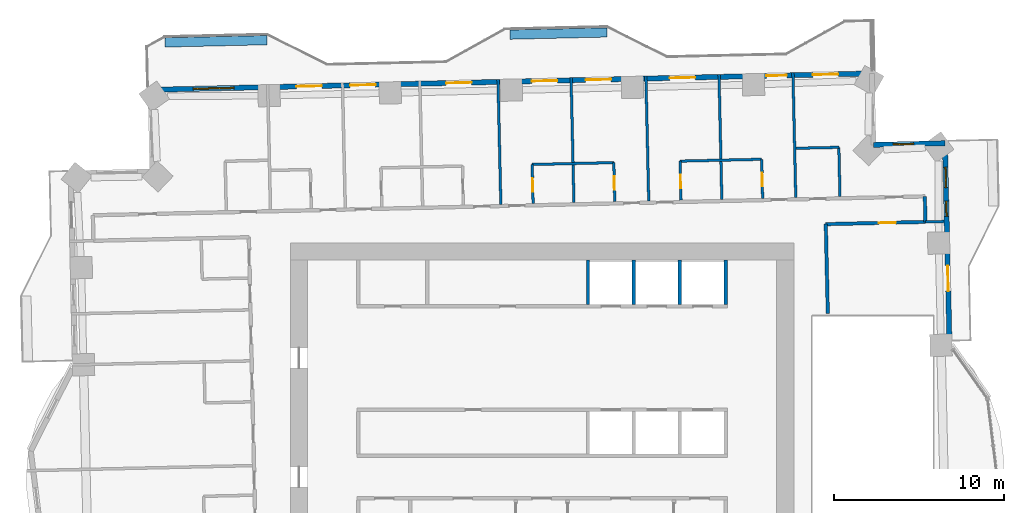
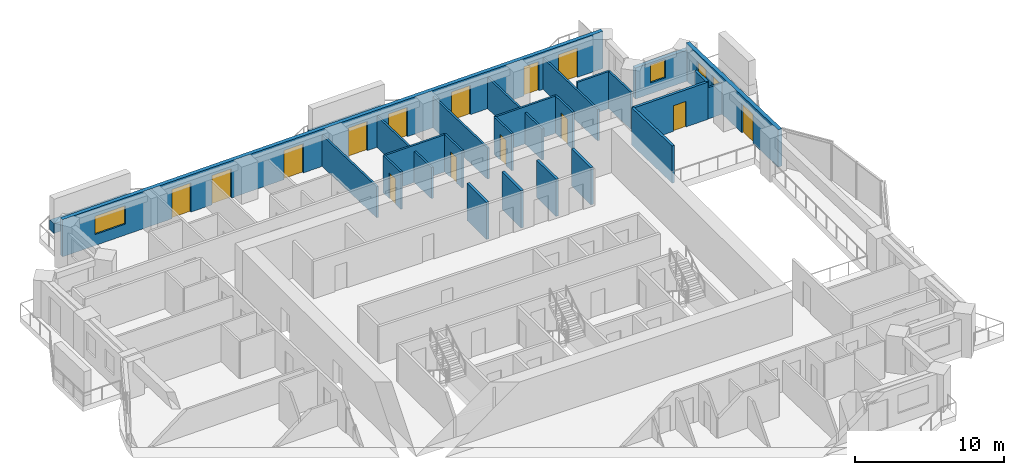
# One storey, part 11 of 16: 26 walls, 14 doors, 4 windows, 18 openings.
"""IFC4 building model written with IfcOpenShell, lengths in metres."""

from ifc_helpers import new_model, si_unit, direction, frame, frame_2d, origin, place, context, subcontext, project, spatial, rectangle, extrude, material, layer, layer_set, type_object, element, fill, save


model = new_model("IFC4")

# Units and contexts
model_context = context("Model", 3, precision=1e-05, world=origin(), true_north=direction((0.0, 1.0)))
body_context = subcontext(model_context, "Body", "Model", "MODEL_VIEW")
ifc_project = project(units=[si_unit("LENGTHUNIT", "METRE"), si_unit("AREAUNIT", "SQUARE_METRE"), si_unit("VOLUMEUNIT", "CUBIC_METRE"), si_unit("PLANEANGLEUNIT", "RADIAN"), si_unit("MASSUNIT", "GRAM", prefix="KILO")], contexts=[model_context])

# Site, building, storey
site_placement = place(None, origin())
site = spatial("IfcSite", under=ifc_project, at=site_placement, CompositionType="ELEMENT")
building_placement = place(site_placement, origin())
building = spatial("IfcBuilding", under=site, at=building_placement, Name="Mangrove Gate Tower", CompositionType="ELEMENT")
storey_placement = place(building_placement, frame((0.0, 0.0, 137.300048828125)))
storey = spatial("IfcBuildingStorey", under=building, at=storey_placement, Name="L34", CompositionType="ELEMENT", Elevation=137.300048828125)

# Walls
ifc_material_1 = material(Name="Concrete C70/85", Category="concrete")
ifc_layer_1 = layer(ifc_material_1, 0.199951171875)
ifc_layer_set_1 = layer_set([ifc_layer_1], Name="Core shaft wall 200 C70/85")
wall_type_1 = type_object("IfcWallType", Name="Core shaft wall 200 C70/85", PredefinedType="SHEAR", material=ifc_layer_set_1)
for number, where, z_axis, x_axis, name in (
    (1, (2.699951171875, 8.199951171875, 0.0), (0.0, 0.0, 1.0), (0.0, 1.0, 0.0), "WALL-L34-CORE-26"),
    (2, (5.39990234375, 8.199951171875, 0.0), (0.0, 0.0, 1.0), (0.0, 1.0, 0.0), "WALL-L34-CORE-27"),
    (3, (8.10009765625, 8.199951171875, 0.0), (0.0, 0.0, 1.0), (0.0, 1.0, 0.0), "WALL-L34-CORE-28"),
    (4, (10.800048828125, 8.199951171875, 0.0), (0.0, 0.0, 1.0), (0.0, 1.0, 0.0), "WALL-L34-CORE-29"),
):
    element("IfcWall", number, at=place(storey_placement, frame(where, z_axis=z_axis, x_axis=x_axis)), inside=storey, type_object=wall_type_1, Name=name, PredefinedType="SHEAR", context=body_context, shape_type="SweptSolid", body=[
        extrude(rectangle(XDim=2.60009765625, YDim=0.199951171875, at=frame_2d((1.300048828125, 0.0))), origin(), (0.0, 0.0, 1.0), 3.050048828125),
    ])
ifc_material_2 = material(Name="Gypsum board on steel stud, EI 60", Category="steel")
ifc_layer_2 = layer(ifc_material_2, 0.199951171875)
ifc_layer_set_2 = layer_set([ifc_layer_2], Name="Corridor wall EI 60")
wall_type_2 = type_object("IfcWallType", Name="Corridor wall EI 60", PredefinedType="PARTITIONING", material=ifc_layer_set_2)
wall_1_placement = place(storey_placement, frame((16.802978515625, 7.675048828125, 0.0), z_axis=(0.0, 0.0, 1.0), x_axis=(-0.022667483124, 0.999743059595, 0.0)))
element("IfcWall", 5, at=wall_1_placement, inside=storey, type_object=wall_type_2, Name="WALL-L34-050", PredefinedType="PARTITIONING", context=body_context, shape_type="SweptSolid", body=[
    extrude(rectangle(XDim=5.245361328125, YDim=0.199951171875, at=frame_2d((2.62255859375, 0.0))), origin(), (0.0, 0.0, 1.0), 3.050048828125),
])

# Wall, opening, door
wall_2_placement = place(storey_placement, frame((16.678955078125, 12.91796875, 0.0), z_axis=(0.0, 0.0, 1.0), x_axis=(0.999739057042, 0.022843332181, 0.0)))
wall_2 = element("IfcWall", 6, at=wall_2_placement, inside=storey, type_object=wall_type_2, Name="WALL-L34-057", PredefinedType="PARTITIONING", context=body_context, shape_type="SweptSolid", body=[
    extrude(rectangle(XDim=5.867431640625, YDim=0.199951171875, at=frame_2d((2.93359375, 0.0))), origin(), (0.0, 0.0, 1.0), 3.050048828125),
])
opening_1_placement = place(wall_2_placement, frame((3.134033203125, 0.0, 0.0)))
opening_1 = element("IfcOpeningElement", 7, at=opening_1_placement, cuts=wall_2, Name="Opening AD", PredefinedType="OPENING", context=body_context, shape_type="SweptSolid", body=[
    extrude(rectangle(XDim=1.0, YDim=2.10009765625, at=frame_2d((0.5, 1.050048828125))), frame((0.0, 0.10986328125, 0.0), z_axis=(0.0, -1.0, 0.0), x_axis=(1.0, 0.0, 0.0)), (0.0, 0.0, 1.0), 0.219970703125),
])
ifc_material_3 = material(Name="Timber door leaf", Category="wood")
door_type_1 = type_object("IfcDoorType", Name="Amenity door 1000", OperationType="SINGLE_SWING_LEFT", PredefinedType="DOOR", material=ifc_material_3)
door_1_placement = place(opening_1_placement, origin())
door_1 = element("IfcDoor", 8, at=door_1_placement, inside=storey, type_object=door_type_1, Name="DOOR-L34-GAM-c3a", OperationType="SINGLE_SWING_LEFT", OverallHeight=2.10009765625, OverallWidth=1.0, PredefinedType="DOOR", context=body_context, shape_type="SweptSolid", body=[
    extrude(rectangle(XDim=1.0, YDim=2.10009765625, at=frame_2d((0.5, 1.050048828125))), frame((0.0, 0.02490234375, 0.0), z_axis=(0.0, -1.0, 0.0), x_axis=(1.0, 0.0, 0.0)), (0.0, 0.0, 1.0), 0.050048828125),
])
fill(opening_1, door_1)

# Wall
wall_3_placement = place(storey_placement, frame((22.54296875, 13.052001953125, 0.0), z_axis=(0.0, 0.0, 1.0), x_axis=(-0.022632637625, 0.99974384905, 0.0)))
element("IfcWall", 9, at=wall_3_placement, inside=storey, type_object=wall_type_2, Name="WALL-L34-058", PredefinedType="PARTITIONING", context=body_context, shape_type="SweptSolid", body=[
    extrude(rectangle(XDim=1.49951171875, YDim=0.199951171875, at=frame_2d((0.749755859375, 0.0))), origin(), (0.0, 0.0, 1.0), 3.050048828125),
])

# Wall, openings, door, windows
ifc_material_4 = material(Name="Limestone", Category="masonry")
ifc_layer_3 = layer(ifc_material_4, 0.0400390625, Name="Limestone cladding")
ifc_material_5 = material(Name="Ventilated air gap")
ifc_layer_4 = layer(ifc_material_5, 0.0400390625, Name="Ventilated cavity")
ifc_material_6 = material(Name="Mineral wool insulation")
ifc_layer_5 = layer(ifc_material_6, 0.06005859375, Name="Insulation")
ifc_material_7 = material(Name="Breather membrane")
ifc_layer_6 = layer(ifc_material_7, 0.001953125, Name="Breather membrane")
ifc_material_8 = material(Name="Concrete C20/25 blockwork", Category="masonry")
ifc_layer_7 = layer(ifc_material_8, 0.14990234375, Name="Blockwork backing wall")
ifc_material_9 = material(Name="Gypsum plaster")
ifc_layer_8 = layer(ifc_material_9, 0.008056640625, Name="Internal plaster")
ifc_layer_set_3 = layer_set([ifc_layer_3, ifc_layer_4, ifc_layer_5, ifc_layer_6, ifc_layer_7, ifc_layer_8], Name="External wall 300 limestone cladding")
wall_type_3 = type_object("IfcWallType", Name="External wall 300 limestone cladding", PredefinedType="SOLIDWALL", material=ifc_layer_set_3)
wall_4_placement = place(storey_placement, frame((23.9609375, 5.751953125, 0.0), z_axis=(0.0, 0.0, 1.0), x_axis=(-0.022715362207, 0.999741972871, 0.0)))
wall_4 = element("IfcWall", 10, at=wall_4_placement, inside=storey, type_object=wall_type_3, Name="WALL-L34-E2", PredefinedType="SOLIDWALL", context=body_context, shape_type="SweptSolid", body=[
    extrude(rectangle(XDim=11.93017578125, YDim=0.300048828125, at=frame_2d((5.965087890625, 0.0))), origin(), (0.0, 0.0, 1.0), 3.050048828125),
])
opening_2_placement = place(wall_4_placement, frame((3.22802734375, 0.0, 0.0)))
opening_2 = element("IfcOpeningElement", 11, at=opening_2_placement, cuts=wall_4, Name="Opening BD1", PredefinedType="OPENING", context=body_context, shape_type="SweptSolid", body=[
    extrude(rectangle(XDim=1.5, YDim=2.39990234375, at=frame_2d((0.75, 1.199951171875))), frame((0.0, 0.159912109375, 0.0), z_axis=(0.0, -1.0, 0.0), x_axis=(1.0, 0.0, 0.0)), (0.0, 0.0, 1.0), 0.320068359375),
])
opening_3_placement = place(wall_4_placement, frame((7.62890625, 0.0, 0.89990234375)))
opening_3 = element("IfcOpeningElement", 12, at=opening_3_placement, cuts=wall_4, Name="Opening W5", PredefinedType="OPENING", context=body_context, shape_type="SweptSolid", body=[
    extrude(rectangle(XDim=0.89990234375, YDim=1.5, at=frame_2d((0.449951171875, 0.75))), frame((0.0, 0.159912109375, 0.0), z_axis=(0.0, -1.0, 0.0), x_axis=(1.0, 0.0, 0.0)), (0.0, 0.0, 1.0), 0.320068359375),
])
opening_4_placement = place(wall_4_placement, frame((9.31591796875, 0.0, 0.89990234375)))
opening_4 = element("IfcOpeningElement", 13, at=opening_4_placement, cuts=wall_4, Name="Opening W1", PredefinedType="OPENING", context=body_context, shape_type="SweptSolid", body=[
    extrude(rectangle(XDim=1.199951171875, YDim=1.5, at=frame_2d((0.60009765625, 0.75))), frame((0.0, 0.159912109375, 0.0), z_axis=(0.0, -1.0, 0.0), x_axis=(1.0, 0.0, 0.0)), (0.0, 0.0, 1.0), 0.320068359375),
])
ifc_material_10 = material(Name="Aluminium frame with laminated clear glass", Category="aluminium")
door_type_2 = type_object("IfcDoorType", Name="Balcony sliding door 1500x2400", OperationType="SLIDING_TO_LEFT", PredefinedType="DOOR", material=ifc_material_10)
door_2_placement = place(opening_2_placement, origin())
door_2 = element("IfcDoor", 14, at=door_2_placement, inside=storey, type_object=door_type_2, Name="DOOR-L34-E2-1", OperationType="SLIDING_TO_LEFT", OverallHeight=2.39990234375, OverallWidth=1.5, PredefinedType="DOOR", context=body_context, shape_type="SweptSolid", body=[
    extrude(rectangle(XDim=1.5, YDim=2.39990234375, at=frame_2d((0.75, 1.199951171875))), frame((0.0, 0.02490234375, 0.0), z_axis=(0.0, -1.0, 0.0), x_axis=(1.0, 0.0, 0.0)), (0.0, 0.0, 1.0), 0.050048828125),
])
fill(opening_2, door_2)
ifc_material_11 = material(Name="Aluminium frame with double-glazed low-e glass", Category="aluminium")
window_type_1 = type_object("IfcWindowType", Name="Narrow window 900x1500", PartitioningType="SINGLE_PANEL", PredefinedType="WINDOW", material=ifc_material_11)
window_1_placement = place(opening_3_placement, origin())
window_1 = element("IfcWindow", 15, at=window_1_placement, inside=storey, type_object=window_type_1, Name="WIN-L34-E2-2", OverallHeight=1.5, OverallWidth=0.89990234375, PartitioningType="SINGLE_PANEL", PredefinedType="WINDOW", context=body_context, shape_type="SweptSolid", body=[
    extrude(rectangle(XDim=0.89990234375, YDim=1.5, at=frame_2d((0.449951171875, 0.75))), frame((0.0, 0.030029296875, 0.0), z_axis=(0.0, -1.0, 0.0), x_axis=(1.0, 0.0, 0.0)), (0.0, 0.0, 1.0), 0.06005859375),
])
fill(opening_3, window_1)
ifc_material_12 = material(Name="Aluminium frame with double-glazed low-e glass", Category="aluminium")
window_type_2 = type_object("IfcWindowType", Name="Side lite 1200x1500", PartitioningType="SINGLE_PANEL", PredefinedType="WINDOW", material=ifc_material_12)
window_2_placement = place(opening_4_placement, origin())
window_2 = element("IfcWindow", 16, at=window_2_placement, inside=storey, type_object=window_type_2, Name="WIN-L34-E2-3", OverallHeight=1.5, OverallWidth=1.199951171875, PartitioningType="SINGLE_PANEL", PredefinedType="WINDOW", context=body_context, shape_type="SweptSolid", body=[
    extrude(rectangle(XDim=1.199951171875, YDim=1.5, at=frame_2d((0.60009765625, 0.75))), frame((0.0, 0.030029296875, 0.0), z_axis=(0.0, -1.0, 0.0), x_axis=(1.0, 0.0, 0.0)), (0.0, 0.0, 1.0), 0.06005859375),
])
fill(opening_4, window_2)

# Wall, opening, window
wall_5_placement = place(storey_placement, frame((23.68994140625, 17.678955078125, 0.0), z_axis=(0.0, 0.0, 1.0), x_axis=(-0.999739037152, -0.022844202663, 0.0)))
wall_5 = element("IfcWall", 17, at=wall_5_placement, inside=storey, type_object=wall_type_3, Name="WALL-L34-N3", PredefinedType="SOLIDWALL", context=body_context, shape_type="SweptSolid", body=[
    extrude(rectangle(XDim=4.199951171875, YDim=0.300048828125, at=frame_2d((2.10009765625, 0.0))), origin(), (0.0, 0.0, 1.0), 2.550048828125),
])
opening_5_placement = place(wall_5_placement, frame((1.839111328125, 0.0, 0.89990234375)))
opening_5 = element("IfcOpeningElement", 18, at=opening_5_placement, cuts=wall_5, Name="Opening W1", PredefinedType="OPENING", context=body_context, shape_type="SweptSolid", body=[
    extrude(rectangle(XDim=1.199951171875, YDim=1.5, at=frame_2d((0.60009765625, 0.75))), frame((0.0, 0.159912109375, 0.0), z_axis=(0.0, -1.0, 0.0), x_axis=(1.0, 0.0, 0.0)), (0.0, 0.0, 1.0), 0.320068359375),
])
window_3_placement = place(opening_5_placement, origin())
window_3 = element("IfcWindow", 19, at=window_3_placement, inside=storey, type_object=window_type_2, Name="WIN-L34-N3-1", OverallHeight=1.5, OverallWidth=1.199951171875, PartitioningType="SINGLE_PANEL", PredefinedType="WINDOW", context=body_context, shape_type="SweptSolid", body=[
    extrude(rectangle(XDim=1.199951171875, YDim=1.5, at=frame_2d((0.60009765625, 0.75))), frame((0.0, 0.030029296875, 0.0), z_axis=(0.0, -1.0, 0.0), x_axis=(1.0, 0.0, 0.0)), (0.0, 0.0, 1.0), 0.06005859375),
])
fill(opening_5, window_3)

# Wall, openings, doors, window
wall_6_placement = place(storey_placement, frame((19.39599609375, 21.781982421875, 0.0), z_axis=(0.0, 0.0, 1.0), x_axis=(-0.999742636707, -0.022686126826, 0.0)))
wall_6 = element("IfcWall", 20, at=wall_6_placement, inside=storey, type_object=wall_type_3, Name="WALL-L34-N5", PredefinedType="SOLIDWALL", context=body_context, shape_type="SweptSolid", body=[
    extrude(rectangle(XDim=42.444091796875, YDim=0.300048828125, at=frame_2d((21.22216796875, 0.0))), origin(), (0.0, 0.0, 1.0), 3.050048828125),
])
opening_6_placement = place(wall_6_placement, frame((1.98193359375, 0.0, 0.0)))
opening_6 = element("IfcOpeningElement", 21, at=opening_6_placement, cuts=wall_6, Name="Opening BD1", PredefinedType="OPENING", context=body_context, shape_type="SweptSolid", body=[
    extrude(rectangle(XDim=1.5, YDim=2.39990234375, at=frame_2d((0.75, 1.199951171875))), frame((0.0, 0.159912109375, 0.0), z_axis=(0.0, -1.0, 0.0), x_axis=(1.0, 0.0, 0.0)), (0.0, 0.0, 1.0), 0.320068359375),
])
opening_7_placement = place(wall_6_placement, frame((5.009033203125, 0.0, 0.0)))
opening_7 = element("IfcOpeningElement", 22, at=opening_7_placement, cuts=wall_6, Name="Opening BD2", PredefinedType="OPENING", context=body_context, shape_type="SweptSolid", body=[
    extrude(rectangle(XDim=1.199951171875, YDim=2.39990234375, at=frame_2d((0.60009765625, 1.199951171875))), frame((0.0, 0.159912109375, 0.0), z_axis=(0.0, -1.0, 0.0), x_axis=(1.0, 0.0, 0.0)), (0.0, 0.0, 1.0), 0.320068359375),
])
opening_8_placement = place(wall_6_placement, frame((10.39404296875, 0.0, 0.0)))
opening_8 = element("IfcOpeningElement", 23, at=opening_8_placement, cuts=wall_6, Name="Opening BD1", PredefinedType="OPENING", context=body_context, shape_type="SweptSolid", body=[
    extrude(rectangle(XDim=1.5, YDim=2.39990234375, at=frame_2d((0.75, 1.199951171875))), frame((0.0, 0.159912109375, 0.0), z_axis=(0.0, -1.0, 0.0), x_axis=(1.0, 0.0, 0.0)), (0.0, 0.0, 1.0), 0.320068359375),
])
opening_9_placement = place(wall_6_placement, frame((15.345947265625, 0.0, 0.0)))
opening_9 = element("IfcOpeningElement", 24, at=opening_9_placement, cuts=wall_6, Name="Opening BD1", PredefinedType="OPENING", context=body_context, shape_type="SweptSolid", body=[
    extrude(rectangle(XDim=1.5, YDim=2.39990234375, at=frame_2d((0.75, 1.199951171875))), frame((0.0, 0.159912109375, 0.0), z_axis=(0.0, -1.0, 0.0), x_axis=(1.0, 0.0, 0.0)), (0.0, 0.0, 1.0), 0.320068359375),
])
opening_10_placement = place(wall_6_placement, frame((18.508056640625, 0.0, 0.0)))
opening_10 = element("IfcOpeningElement", 25, at=opening_10_placement, cuts=wall_6, Name="Opening BD1", PredefinedType="OPENING", context=body_context, shape_type="SweptSolid", body=[
    extrude(rectangle(XDim=1.5, YDim=2.39990234375, at=frame_2d((0.75, 1.199951171875))), frame((0.0, 0.159912109375, 0.0), z_axis=(0.0, -1.0, 0.0), x_axis=(1.0, 0.0, 0.0)), (0.0, 0.0, 1.0), 0.320068359375),
])
opening_11_placement = place(wall_6_placement, frame((23.5439453125, 0.0, 0.0)))
opening_11 = element("IfcOpeningElement", 26, at=opening_11_placement, cuts=wall_6, Name="Opening BD1", PredefinedType="OPENING", context=body_context, shape_type="SweptSolid", body=[
    extrude(rectangle(XDim=1.5, YDim=2.39990234375, at=frame_2d((0.75, 1.199951171875))), frame((0.0, 0.159912109375, 0.0), z_axis=(0.0, -1.0, 0.0), x_axis=(1.0, 0.0, 0.0)), (0.0, 0.0, 1.0), 0.320068359375),
])
opening_12_placement = place(wall_6_placement, frame((29.195068359375, 0.0, 0.0)))
opening_12 = element("IfcOpeningElement", 27, at=opening_12_placement, cuts=wall_6, Name="Opening BD1", PredefinedType="OPENING", context=body_context, shape_type="SweptSolid", body=[
    extrude(rectangle(XDim=1.5, YDim=2.39990234375, at=frame_2d((0.75, 1.199951171875))), frame((0.0, 0.159912109375, 0.0), z_axis=(0.0, -1.0, 0.0), x_axis=(1.0, 0.0, 0.0)), (0.0, 0.0, 1.0), 0.320068359375),
])
opening_13_placement = place(wall_6_placement, frame((32.35693359375, 0.0, 0.0)))
opening_13 = element("IfcOpeningElement", 28, at=opening_13_placement, cuts=wall_6, Name="Opening BD1", PredefinedType="OPENING", context=body_context, shape_type="SweptSolid", body=[
    extrude(rectangle(XDim=1.5, YDim=2.39990234375, at=frame_2d((0.75, 1.199951171875))), frame((0.0, 0.159912109375, 0.0), z_axis=(0.0, -1.0, 0.0), x_axis=(1.0, 0.0, 0.0)), (0.0, 0.0, 1.0), 0.320068359375),
])
opening_14_placement = place(wall_6_placement, frame((37.52392578125, 0.0, 0.89990234375)))
opening_14 = element("IfcOpeningElement", 29, at=opening_14_placement, cuts=wall_6, Name="Opening W2", PredefinedType="OPENING", context=body_context, shape_type="SweptSolid", body=[
    extrude(rectangle(XDim=2.39990234375, YDim=1.5, at=frame_2d((1.199951171875, 0.75))), frame((0.0, 0.159912109375, 0.0), z_axis=(0.0, -1.0, 0.0), x_axis=(1.0, 0.0, 0.0)), (0.0, 0.0, 1.0), 0.320068359375),
])
ifc_material_13 = material(Name="Aluminium frame with laminated clear glass", Category="aluminium")
door_type_3 = type_object("IfcDoorType", Name="Balcony sliding door 1200x2400", OperationType="SLIDING_TO_LEFT", PredefinedType="DOOR", material=ifc_material_13)
door_3_placement = place(opening_7_placement, origin())
door_3 = element("IfcDoor", 30, at=door_3_placement, inside=storey, type_object=door_type_3, Name="DOOR-L34-N5-2", OperationType="SLIDING_TO_LEFT", OverallHeight=2.39990234375, OverallWidth=1.199951171875, PredefinedType="DOOR", context=body_context, shape_type="SweptSolid", body=[
    extrude(rectangle(XDim=1.199951171875, YDim=2.39990234375, at=frame_2d((0.60009765625, 1.199951171875))), frame((0.0, 0.02490234375, 0.0), z_axis=(0.0, -1.0, 0.0), x_axis=(1.0, 0.0, 0.0)), (0.0, 0.0, 1.0), 0.050048828125),
])
fill(opening_7, door_3)
door_4_placement = place(opening_6_placement, origin())
door_4 = element("IfcDoor", 31, at=door_4_placement, inside=storey, type_object=door_type_2, Name="DOOR-L34-N5-1", OperationType="SLIDING_TO_LEFT", OverallHeight=2.39990234375, OverallWidth=1.5, PredefinedType="DOOR", context=body_context, shape_type="SweptSolid", body=[
    extrude(rectangle(XDim=1.5, YDim=2.39990234375, at=frame_2d((0.75, 1.199951171875))), frame((0.0, 0.02490234375, 0.0), z_axis=(0.0, -1.0, 0.0), x_axis=(1.0, 0.0, 0.0)), (0.0, 0.0, 1.0), 0.050048828125),
])
fill(opening_6, door_4)
door_5_placement = place(opening_8_placement, origin())
door_5 = element("IfcDoor", 32, at=door_5_placement, inside=storey, type_object=door_type_2, Name="DOOR-L34-N5-3", OperationType="SLIDING_TO_LEFT", OverallHeight=2.39990234375, OverallWidth=1.5, PredefinedType="DOOR", context=body_context, shape_type="SweptSolid", body=[
    extrude(rectangle(XDim=1.5, YDim=2.39990234375, at=frame_2d((0.75, 1.199951171875))), frame((0.0, 0.02490234375, 0.0), z_axis=(0.0, -1.0, 0.0), x_axis=(1.0, 0.0, 0.0)), (0.0, 0.0, 1.0), 0.050048828125),
])
fill(opening_8, door_5)
door_6_placement = place(opening_9_placement, origin())
door_6 = element("IfcDoor", 33, at=door_6_placement, inside=storey, type_object=door_type_2, Name="DOOR-L34-N5-4", OperationType="SLIDING_TO_LEFT", OverallHeight=2.39990234375, OverallWidth=1.5, PredefinedType="DOOR", context=body_context, shape_type="SweptSolid", body=[
    extrude(rectangle(XDim=1.5, YDim=2.39990234375, at=frame_2d((0.75, 1.199951171875))), frame((0.0, 0.02490234375, 0.0), z_axis=(0.0, -1.0, 0.0), x_axis=(1.0, 0.0, 0.0)), (0.0, 0.0, 1.0), 0.050048828125),
])
fill(opening_9, door_6)
door_7_placement = place(opening_10_placement, origin())
door_7 = element("IfcDoor", 34, at=door_7_placement, inside=storey, type_object=door_type_2, Name="DOOR-L34-N5-5", OperationType="SLIDING_TO_LEFT", OverallHeight=2.39990234375, OverallWidth=1.5, PredefinedType="DOOR", context=body_context, shape_type="SweptSolid", body=[
    extrude(rectangle(XDim=1.5, YDim=2.39990234375, at=frame_2d((0.75, 1.199951171875))), frame((0.0, 0.02490234375, 0.0), z_axis=(0.0, -1.0, 0.0), x_axis=(1.0, 0.0, 0.0)), (0.0, 0.0, 1.0), 0.050048828125),
])
fill(opening_10, door_7)
door_8_placement = place(opening_11_placement, origin())
door_8 = element("IfcDoor", 35, at=door_8_placement, inside=storey, type_object=door_type_2, Name="DOOR-L34-N5-6", OperationType="SLIDING_TO_LEFT", OverallHeight=2.39990234375, OverallWidth=1.5, PredefinedType="DOOR", context=body_context, shape_type="SweptSolid", body=[
    extrude(rectangle(XDim=1.5, YDim=2.39990234375, at=frame_2d((0.75, 1.199951171875))), frame((0.0, 0.02490234375, 0.0), z_axis=(0.0, -1.0, 0.0), x_axis=(1.0, 0.0, 0.0)), (0.0, 0.0, 1.0), 0.050048828125),
])
fill(opening_11, door_8)
door_9_placement = place(opening_12_placement, origin())
door_9 = element("IfcDoor", 36, at=door_9_placement, inside=storey, type_object=door_type_2, Name="DOOR-L34-N5-7", OperationType="SLIDING_TO_LEFT", OverallHeight=2.39990234375, OverallWidth=1.5, PredefinedType="DOOR", context=body_context, shape_type="SweptSolid", body=[
    extrude(rectangle(XDim=1.5, YDim=2.39990234375, at=frame_2d((0.75, 1.199951171875))), frame((0.0, 0.02490234375, 0.0), z_axis=(0.0, -1.0, 0.0), x_axis=(1.0, 0.0, 0.0)), (0.0, 0.0, 1.0), 0.050048828125),
])
fill(opening_12, door_9)
door_10_placement = place(opening_13_placement, origin())
door_10 = element("IfcDoor", 37, at=door_10_placement, inside=storey, type_object=door_type_2, Name="DOOR-L34-N5-8", OperationType="SLIDING_TO_LEFT", OverallHeight=2.39990234375, OverallWidth=1.5, PredefinedType="DOOR", context=body_context, shape_type="SweptSolid", body=[
    extrude(rectangle(XDim=1.5, YDim=2.39990234375, at=frame_2d((0.75, 1.199951171875))), frame((0.0, 0.02490234375, 0.0), z_axis=(0.0, -1.0, 0.0), x_axis=(1.0, 0.0, 0.0)), (0.0, 0.0, 1.0), 0.050048828125),
])
fill(opening_13, door_10)
ifc_material_14 = material(Name="Aluminium frame with double-glazed low-e glass", Category="aluminium")
window_type_3 = type_object("IfcWindowType", Name="Corner room window 2400x1500", PartitioningType="DOUBLE_PANEL_VERTICAL", PredefinedType="WINDOW", material=ifc_material_14)
window_4_placement = place(opening_14_placement, origin())
window_4 = element("IfcWindow", 38, at=window_4_placement, inside=storey, type_object=window_type_3, Name="WIN-L34-N5-9", OverallHeight=1.5, OverallWidth=2.39990234375, PartitioningType="DOUBLE_PANEL_VERTICAL", PredefinedType="WINDOW", context=body_context, shape_type="SweptSolid", body=[
    extrude(rectangle(XDim=2.39990234375, YDim=1.5, at=frame_2d((1.199951171875, 0.75))), frame((0.0, 0.030029296875, 0.0), z_axis=(0.0, -1.0, 0.0), x_axis=(1.0, 0.0, 0.0)), (0.0, 0.0, 1.0), 0.06005859375),
])
fill(opening_14, window_4)

# Walls
ifc_material_15 = material(Name="Gypsum board on steel stud, EI 60", Category="steel")
ifc_layer_9 = layer(ifc_material_15, 0.14990234375)
ifc_layer_set_4 = layer_set([ifc_layer_9], Name="Party wall 150 EI 60")
wall_type_4 = type_object("IfcWallType", Name="Party wall 150 EI 60", PredefinedType="PARTITIONING", material=ifc_layer_set_4)
wall_7_placement = place(storey_placement, frame((22.544921875, 13.052001953125, 0.0), z_axis=(0.0, 0.0, 1.0), x_axis=(0.999743438074, 0.022650784248, 0.0)))
element("IfcWall", 39, at=wall_7_placement, inside=storey, type_object=wall_type_4, Name="WALL-L34-059", PredefinedType="PARTITIONING", context=body_context, shape_type="SweptSolid", body=[
    extrude(rectangle(XDim=1.099365234375, YDim=0.14990234375, at=frame_2d((0.5498046875, 0.0))), origin(), (0.0, 0.0, 1.0), 2.550048828125),
])
wall_8_placement = place(storey_placement, frame((-2.427001953125, 14.0849609375, 0.0), z_axis=(0.0, 0.0, 1.0), x_axis=(-0.022719896304, 0.99974186984, 0.0)))
element("IfcWall", 40, at=wall_8_placement, inside=storey, type_object=wall_type_4, Name="WALL-L34-068", PredefinedType="PARTITIONING", context=body_context, shape_type="SweptSolid", body=[
    extrude(rectangle(XDim=7.35009765625, YDim=0.14990234375, at=frame_2d((3.675048828125, 0.0))), origin(), (0.0, 0.0, 1.0), 2.550048828125),
])

# Wall, opening, door
wall_9_placement = place(storey_placement, frame((-0.528076171875, 14.1279296875, 0.0), z_axis=(0.0, 0.0, 1.0), x_axis=(-0.022603288534, 0.999744513037, 0.0)))
wall_9 = element("IfcWall", 41, at=wall_9_placement, inside=storey, type_object=wall_type_4, Name="WALL-L34-069", PredefinedType="PARTITIONING", context=body_context, shape_type="SweptSolid", body=[
    extrude(rectangle(XDim=2.300537109375, YDim=0.14990234375, at=frame_2d((1.150390625, 0.0))), origin(), (0.0, 0.0, 1.0), 3.050048828125),
])
opening_15_placement = place(wall_9_placement, frame((0.699951171875, 0.0, 0.0)))
opening_15 = element("IfcOpeningElement", 42, at=opening_15_placement, cuts=wall_9, Name="Opening ED", PredefinedType="OPENING", context=body_context, shape_type="SweptSolid", body=[
    extrude(rectangle(XDim=0.800048828125, YDim=2.10009765625, at=frame_2d((0.39990234375, 1.050048828125))), frame((0.0, 0.0849609375, 0.0), z_axis=(0.0, -1.0, 0.0), x_axis=(1.0, 0.0, 0.0)), (0.0, 0.0, 1.0), 0.169921875),
])
ifc_material_16 = material(Name="Timber door leaf", Category="wood")
door_type_4 = type_object("IfcDoorType", Name="En-suite door 800", OperationType="SINGLE_SWING_LEFT", PredefinedType="DOOR", material=ifc_material_16)
door_11_placement = place(opening_15_placement, origin())
door_11 = element("IfcDoor", 43, at=door_11_placement, inside=storey, type_object=door_type_4, Name="DOOR-L34-ENS-c412", OperationType="SINGLE_SWING_RIGHT", OverallHeight=2.10009765625, OverallWidth=0.800048828125, PredefinedType="DOOR", context=body_context, shape_type="SweptSolid", body=[
    extrude(rectangle(XDim=0.800048828125, YDim=2.10009765625, at=frame_2d((0.39990234375, 1.050048828125))), frame((0.0, 0.02490234375, 0.0), z_axis=(0.0, -1.0, 0.0), x_axis=(1.0, 0.0, 0.0)), (0.0, 0.0, 1.0), 0.050048828125),
])
fill(opening_15, door_11)

# Wall
wall_10_placement = place(storey_placement, frame((1.8720703125, 14.18310546875, 0.0), z_axis=(0.0, 0.0, 1.0), x_axis=(-0.022720650804, 0.999741852694, 0.0)))
element("IfcWall", 44, at=wall_10_placement, inside=storey, type_object=wall_type_4, Name="WALL-L34-070", PredefinedType="PARTITIONING", context=body_context, shape_type="SweptSolid", body=[
    extrude(rectangle(XDim=7.349853515625, YDim=0.14990234375, at=frame_2d((3.6748046875, 0.0))), origin(), (0.0, 0.0, 1.0), 2.550048828125),
])

# Wall, opening, door
wall_11_placement = place(storey_placement, frame((4.27099609375, 14.237060546875, 0.0), z_axis=(0.0, 0.0, 1.0), x_axis=(-0.022603288534, 0.999744513037, 0.0)))
wall_11 = element("IfcWall", 45, at=wall_11_placement, inside=storey, type_object=wall_type_4, Name="WALL-L34-071", PredefinedType="PARTITIONING", context=body_context, shape_type="SweptSolid", body=[
    extrude(rectangle(XDim=2.300537109375, YDim=0.14990234375, at=frame_2d((1.150390625, 0.0))), origin(), (0.0, 0.0, 1.0), 3.050048828125),
])
opening_16_placement = place(wall_11_placement, frame((0.699951171875, 0.0, 0.0)))
opening_16 = element("IfcOpeningElement", 46, at=opening_16_placement, cuts=wall_11, Name="Opening ED", PredefinedType="OPENING", context=body_context, shape_type="SweptSolid", body=[
    extrude(rectangle(XDim=0.800048828125, YDim=2.10009765625, at=frame_2d((0.39990234375, 1.050048828125))), frame((0.0, 0.0849609375, 0.0), z_axis=(0.0, -1.0, 0.0), x_axis=(1.0, 0.0, 0.0)), (0.0, 0.0, 1.0), 0.169921875),
])
door_12_placement = place(opening_16_placement, origin())
door_12 = element("IfcDoor", 47, at=door_12_placement, inside=storey, type_object=door_type_4, Name="DOOR-L34-ENS-c411", OperationType="SINGLE_SWING_LEFT", OverallHeight=2.10009765625, OverallWidth=0.800048828125, PredefinedType="DOOR", context=body_context, shape_type="SweptSolid", body=[
    extrude(rectangle(XDim=0.800048828125, YDim=2.10009765625, at=frame_2d((0.39990234375, 1.050048828125))), frame((0.0, 0.02490234375, 0.0), z_axis=(0.0, -1.0, 0.0), x_axis=(1.0, 0.0, 0.0)), (0.0, 0.0, 1.0), 0.050048828125),
])
fill(opening_16, door_12)

# Wall
wall_12_placement = place(storey_placement, frame((6.27099609375, 14.282958984375, 0.0), z_axis=(0.0, 0.0, 1.0), x_axis=(-0.022719896304, 0.99974186984, 0.0)))
element("IfcWall", 48, at=wall_12_placement, inside=storey, type_object=wall_type_4, Name="WALL-L34-072", PredefinedType="PARTITIONING", context=body_context, shape_type="SweptSolid", body=[
    extrude(rectangle(XDim=7.35009765625, YDim=0.14990234375, at=frame_2d((3.675048828125, 0.0))), origin(), (0.0, 0.0, 1.0), 2.550048828125),
])

# Wall, opening, door
wall_13_placement = place(storey_placement, frame((8.169921875, 14.325927734375, 0.0), z_axis=(0.0, 0.0, 1.0), x_axis=(-0.022612884682, 0.999744296031, 0.0)))
wall_13 = element("IfcWall", 49, at=wall_13_placement, inside=storey, type_object=wall_type_4, Name="WALL-L34-073", PredefinedType="PARTITIONING", context=body_context, shape_type="SweptSolid", body=[
    extrude(rectangle(XDim=2.299560546875, YDim=0.14990234375, at=frame_2d((1.14990234375, 0.0))), origin(), (0.0, 0.0, 1.0), 3.050048828125),
])
opening_17_placement = place(wall_13_placement, frame((0.699951171875, 0.0, 0.0)))
opening_17 = element("IfcOpeningElement", 50, at=opening_17_placement, cuts=wall_13, Name="Opening ED", PredefinedType="OPENING", context=body_context, shape_type="SweptSolid", body=[
    extrude(rectangle(XDim=0.800048828125, YDim=2.10009765625, at=frame_2d((0.39990234375, 1.050048828125))), frame((0.0, 0.0849609375, 0.0), z_axis=(0.0, -1.0, 0.0), x_axis=(1.0, 0.0, 0.0)), (0.0, 0.0, 1.0), 0.169921875),
])
door_13_placement = place(opening_17_placement, origin())
door_13 = element("IfcDoor", 51, at=door_13_placement, inside=storey, type_object=door_type_4, Name="DOOR-L34-ENS-c410", OperationType="SINGLE_SWING_RIGHT", OverallHeight=2.10009765625, OverallWidth=0.800048828125, PredefinedType="DOOR", context=body_context, shape_type="SweptSolid", body=[
    extrude(rectangle(XDim=0.800048828125, YDim=2.10009765625, at=frame_2d((0.39990234375, 1.050048828125))), frame((0.0, 0.02490234375, 0.0), z_axis=(0.0, -1.0, 0.0), x_axis=(1.0, 0.0, 0.0)), (0.0, 0.0, 1.0), 0.050048828125),
])
fill(opening_17, door_13)

# Wall
wall_14_placement = place(storey_placement, frame((10.569091796875, 14.3798828125, 0.0), z_axis=(0.0, 0.0, 1.0), x_axis=(-0.022587099398, 0.999744878927, 0.0)))
element("IfcWall", 52, at=wall_14_placement, inside=storey, type_object=wall_type_4, Name="WALL-L34-074", PredefinedType="PARTITIONING", context=body_context, shape_type="SweptSolid", body=[
    extrude(rectangle(XDim=7.35009765625, YDim=0.14990234375, at=frame_2d((3.675048828125, 0.0))), origin(), (0.0, 0.0, 1.0), 2.550048828125),
])

# Wall, opening, door
wall_15_placement = place(storey_placement, frame((12.968994140625, 14.43505859375, 0.0), z_axis=(0.0, 0.0, 1.0), x_axis=(-0.022615284993, 0.999744241736, 0.0)))
wall_15 = element("IfcWall", 53, at=wall_15_placement, inside=storey, type_object=wall_type_4, Name="WALL-L34-075", PredefinedType="PARTITIONING", context=body_context, shape_type="SweptSolid", body=[
    extrude(rectangle(XDim=2.29931640625, YDim=0.14990234375, at=frame_2d((1.149658203125, 0.0))), origin(), (0.0, 0.0, 1.0), 3.050048828125),
])
opening_18_placement = place(wall_15_placement, frame((0.699951171875, 0.0, 0.0)))
opening_18 = element("IfcOpeningElement", 54, at=opening_18_placement, cuts=wall_15, Name="Opening ED", PredefinedType="OPENING", context=body_context, shape_type="SweptSolid", body=[
    extrude(rectangle(XDim=0.800048828125, YDim=2.10009765625, at=frame_2d((0.39990234375, 1.050048828125))), frame((0.0, 0.0849609375, 0.0), z_axis=(0.0, -1.0, 0.0), x_axis=(1.0, 0.0, 0.0)), (0.0, 0.0, 1.0), 0.169921875),
])
door_14_placement = place(opening_18_placement, origin())
door_14 = element("IfcDoor", 55, at=door_14_placement, inside=storey, type_object=door_type_4, Name="DOOR-L34-ENS-c309", OperationType="SINGLE_SWING_LEFT", OverallHeight=2.10009765625, OverallWidth=0.800048828125, PredefinedType="DOOR", context=body_context, shape_type="SweptSolid", body=[
    extrude(rectangle(XDim=0.800048828125, YDim=2.10009765625, at=frame_2d((0.39990234375, 1.050048828125))), frame((0.0, 0.02490234375, 0.0), z_axis=(0.0, -1.0, 0.0), x_axis=(1.0, 0.0, 0.0)), (0.0, 0.0, 1.0), 0.050048828125),
])
fill(opening_18, door_14)

# Walls
wall_16_placement = place(storey_placement, frame((14.91796875, 14.47900390625, 0.0), z_axis=(0.0, 0.0, 1.0), x_axis=(-0.022587849492, 0.99974486198, 0.0)))
element("IfcWall", 56, at=wall_16_placement, inside=storey, type_object=wall_type_4, Name="WALL-L34-076", PredefinedType="PARTITIONING", context=body_context, shape_type="SweptSolid", body=[
    extrude(rectangle(XDim=7.349853515625, YDim=0.14990234375, at=frame_2d((3.6748046875, 0.0))), origin(), (0.0, 0.0, 1.0), 2.550048828125),
])
wall_17_placement = place(storey_placement, frame((17.51806640625, 14.5380859375, 0.0), z_axis=(0.0, 0.0, 1.0), x_axis=(-0.022817032779, 0.999739657619, 0.0)))
element("IfcWall", 57, at=wall_17_placement, inside=storey, type_object=wall_type_4, Name="WALL-L34-077", PredefinedType="PARTITIONING", context=body_context, shape_type="SweptSolid", body=[
    extrude(rectangle(XDim=2.899658203125, YDim=0.14990234375, at=frame_2d((1.44970703125, 0.0))), origin(), (0.0, 0.0, 1.0), 3.050048828125),
])
for number, where, z_axis, x_axis, name in (
    (58, (-0.58203125, 16.427978515625, 0.0), (0.0, 0.0, 1.0), (0.99974154664, 0.022734113616, 0.0), "WALL-L34-080"),
    (59, (8.115966796875, 16.625, 0.0), (0.0, 0.0, 1.0), (0.999742701292, 0.022683280499, 0.0), "WALL-L34-081"),
):
    element("IfcWall", number, at=place(storey_placement, frame(where, z_axis=z_axis, x_axis=x_axis)), inside=storey, type_object=wall_type_4, Name=name, PredefinedType="PARTITIONING", context=body_context, shape_type="SweptSolid", body=[
        extrude(rectangle(XDim=4.80029296875, YDim=0.14990234375, at=frame_2d((2.400146484375, 0.0))), origin(), (0.0, 0.0, 1.0), 3.050048828125),
    ])
wall_18_placement = place(storey_placement, frame((14.926025390625, 17.3798828125, 0.0), z_axis=(0.0, 0.0, 1.0), x_axis=(0.99974392816, 0.022629142889, 0.0)))
element("IfcWall", 60, at=wall_18_placement, inside=storey, type_object=wall_type_4, Name="WALL-L34-083", PredefinedType="PARTITIONING", context=body_context, shape_type="SweptSolid", body=[
    extrude(rectangle(XDim=2.524658203125, YDim=0.14990234375, at=frame_2d((1.26220703125, 0.0))), origin(), (0.0, 0.0, 1.0), 3.050048828125),
])
ifc_material_17 = material(Name="Concrete C32/40", Category="concrete")
ifc_layer_10 = layer(ifc_material_17, 0.199951171875, Name="Planter trough wall")
ifc_material_18 = material(Name="Bituminous waterproofing membrane")
ifc_layer_11 = layer(ifc_material_18, 0.0048828125, Name="Waterproofing")
ifc_material_19 = material(Name="Drainage board and gravel")
ifc_layer_12 = layer(ifc_material_19, 0.044921875, Name="Drainage layer")
ifc_material_20 = material(Name="Planting soil")
ifc_layer_13 = layer(ifc_material_20, 0.300048828125, Name="Growing medium")
ifc_layer_set_5 = layer_set([ifc_layer_10, ifc_layer_11, ifc_layer_12, ifc_layer_13], Name="Planter wall 550 C32/40")
wall_type_5 = type_object("IfcWallType", Name="Planter wall 550 C32/40", PredefinedType="USERDEFINED", material=ifc_layer_set_5)
wall_19_placement = place(storey_placement, frame((-1.884033203125, 24.06494140625, 0.0), z_axis=(0.0, 0.0, 1.0), x_axis=(0.999743314836, 0.022656223003, 0.0)))
element("IfcWall", 61, at=wall_19_placement, inside=storey, type_object=wall_type_5, Name="PLANTER L34 N0.1", ObjectType="PLANTER", PredefinedType="USERDEFINED", context=body_context, shape_type="SweptSolid", body=[
    extrude(rectangle(XDim=5.700439453125, YDim=0.550048828125, at=frame_2d((2.85009765625, 0.0))), origin(), (0.0, 0.0, 1.0), 0.800048828125),
])
wall_20_placement = place(storey_placement, frame((-22.178955078125, 23.60498046875, 0.0), z_axis=(0.0, 0.0, 1.0), x_axis=(0.999743178102, 0.022662255828, 0.0)))
element("IfcWall", 62, at=wall_20_placement, inside=storey, type_object=wall_type_5, Name="PLANTER L34 N1.1", ObjectType="PLANTER", PredefinedType="USERDEFINED", context=body_context, shape_type="SweptSolid", body=[
    extrude(rectangle(XDim=6.00048828125, YDim=0.550048828125, at=frame_2d((3.000244140625, 0.0))), origin(), (0.0, 0.0, 1.0), 0.800048828125),
])

save(model, "model.ifc")
